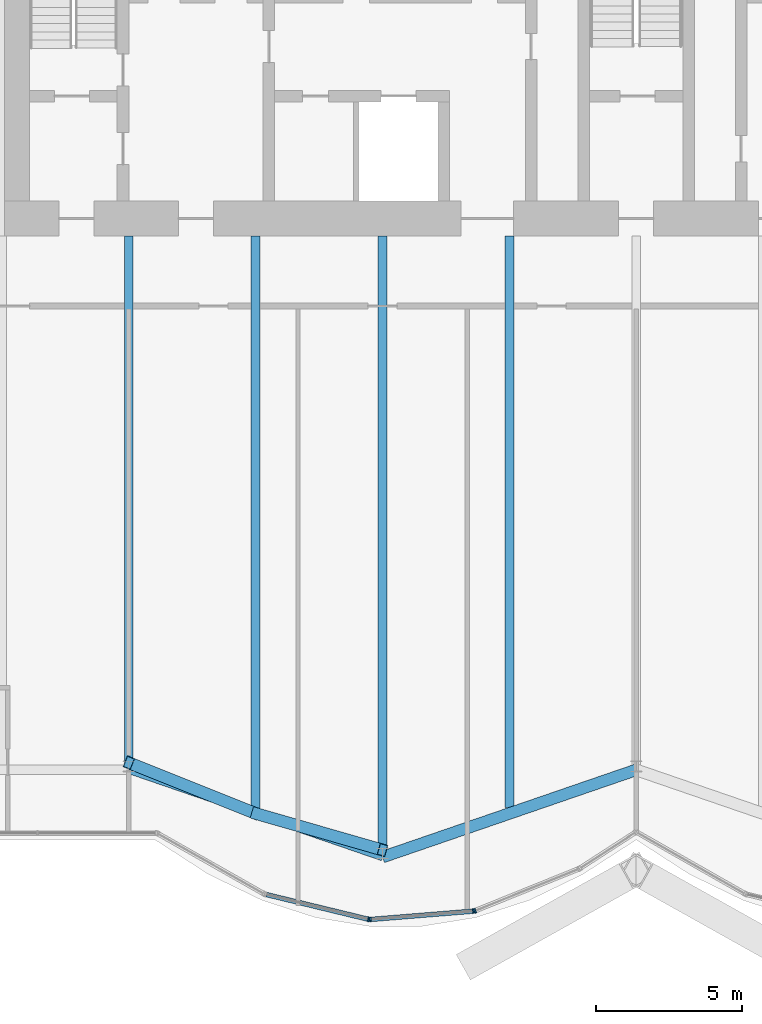
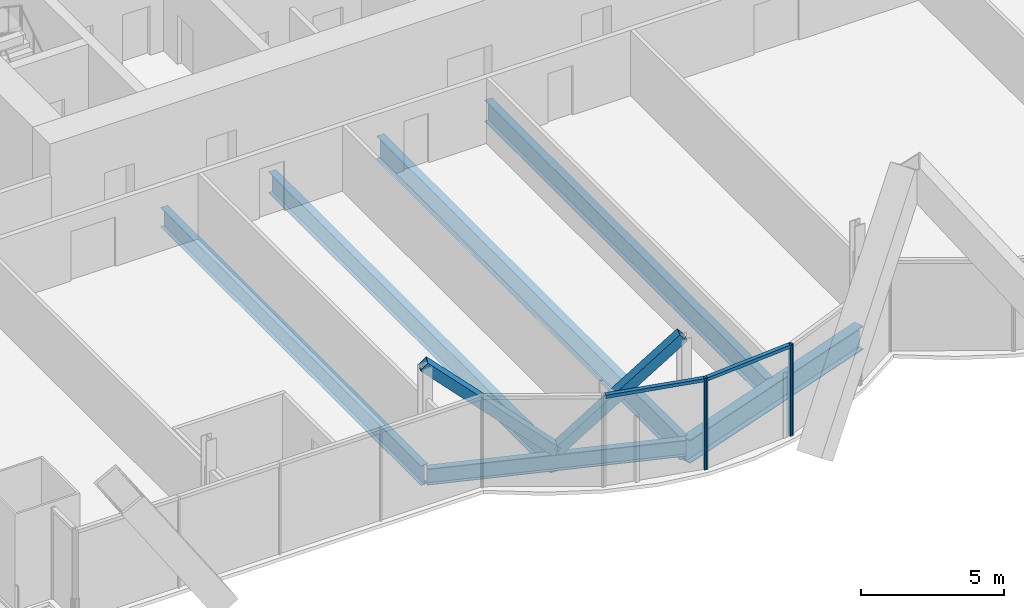
# One storey, part 6 of 21: 8 members, 6 beams, 1 element without a shape of its own.
"""IFC4 building model written with IfcOpenShell, lengths in metres."""

from ifc_helpers import new_model, si_unit, direction, frame, origin, origin_2d, place, context, subcontext, project, spatial, rectangle, hollow_rectangle, i_section, extrude, material, material_profile, profile_set, type_object, element, aggregate, save


model = new_model("IFC4")

# Units and contexts
model_context = context("Model", 3, precision=1e-05, world=origin(), true_north=direction((0.0, 1.0)))
body_context = subcontext(model_context, "Body", "Model", "MODEL_VIEW")
ifc_project = project(units=[si_unit("LENGTHUNIT", "METRE"), si_unit("AREAUNIT", "SQUARE_METRE"), si_unit("VOLUMEUNIT", "CUBIC_METRE"), si_unit("PLANEANGLEUNIT", "RADIAN"), si_unit("MASSUNIT", "GRAM", prefix="KILO")], contexts=[model_context])

# Site, building, storey
site_placement = place(None, origin())
site = spatial("IfcSite", under=ifc_project, at=site_placement, CompositionType="ELEMENT")
building_placement = place(site_placement, origin())
building = spatial("IfcBuilding", under=site, at=building_placement, Name="Bicima Exchange Tower", CompositionType="ELEMENT")
storey_placement = place(building_placement, frame((0.0, 0.0, 181.39990234375)))
storey = spatial("IfcBuildingStorey", under=building, at=storey_placement, Name="L40", CompositionType="ELEMENT", Elevation=181.39990234375)

# Beams
ifc_material_1 = material(Name="Steel ASTM A992 Gr 50", Category="steel")
ifc_material_profile_1 = material_profile(ifc_material_1, i_section(OverallWidth=0.2919921875, OverallDepth=0.835693359375, WebThickness=0.013916015625, FlangeThickness=0.018798828125, at=origin_2d()))
ifc_profile_set_1 = profile_set([ifc_material_profile_1], Name="Steel ASTM A992 Gr 50")
beam_type_1 = type_object("IfcBeamType", Name="Floor beam W33x118", PredefinedType="JOIST", material=ifc_profile_set_1)
beam_1_placement = place(storey_placement, frame((-17.39990234375, -13.0, -0.567626953125), z_axis=(0.0, -1.0, 0.0), x_axis=(1.0, 0.0, 0.0)))
element("IfcBeam", 1, at=beam_1_placement, inside=storey, type_object=beam_type_1, Name="Floor beam", PredefinedType="JOIST", context=body_context, shape_type="SweptSolid", body=[
    extrude(i_section(OverallWidth=0.2919921875, OverallDepth=0.835693359375, WebThickness=0.013916015625, FlangeThickness=0.018798828125, at=origin_2d()), origin(), (0.0, 0.0, 1.0), 18.141357421875),
])
ifc_material_profile_2 = material_profile(ifc_material_1, i_section(OverallWidth=0.3046875, OverallDepth=0.904296875, WebThickness=0.01513671875, FlangeThickness=0.02001953125, at=origin_2d()))
ifc_profile_set_2 = profile_set([ifc_material_profile_2], Name="Steel ASTM A992 Gr 50")
beam_type_2 = type_object("IfcBeamType", Name="Floor beam W36x135", PredefinedType="JOIST", material=ifc_profile_set_2)
beam_2_placement = place(storey_placement, frame((-13.050048828125, -13.0, -0.60205078125), z_axis=(0.0, -1.0, 0.0), x_axis=(1.0, 0.0, 0.0)))
element("IfcBeam", 2, at=beam_2_placement, inside=storey, type_object=beam_type_2, Name="Floor beam", PredefinedType="JOIST", context=body_context, shape_type="SweptSolid", body=[
    extrude(i_section(OverallWidth=0.3046875, OverallDepth=0.904296875, WebThickness=0.01513671875, FlangeThickness=0.02001953125, at=origin_2d()), origin(), (0.0, 0.0, 1.0), 19.663818359375),
])
beam_3_placement = place(storey_placement, frame((-4.35009765625, -13.0, -0.60205078125), z_axis=(0.0, -1.0, 0.0), x_axis=(1.0, 0.0, 0.0)))
element("IfcBeam", 3, at=beam_3_placement, inside=storey, type_object=beam_type_2, Name="Floor beam", PredefinedType="JOIST", context=body_context, shape_type="SweptSolid", body=[
    extrude(i_section(OverallWidth=0.3046875, OverallDepth=0.904296875, WebThickness=0.01513671875, FlangeThickness=0.02001953125, at=origin_2d()), origin(), (0.0, 0.0, 1.0), 19.58740234375),
])
ifc_material_profile_3 = material_profile(ifc_material_1, i_section(OverallWidth=0.2998046875, OverallDepth=0.97021484375, WebThickness=0.01611328125, FlangeThickness=0.02099609375, at=origin_2d()))
ifc_profile_set_3 = profile_set([ifc_material_profile_3], Name="Steel ASTM A992 Gr 50")
beam_type_3 = type_object("IfcBeamType", Name="Floor beam W40x149", PredefinedType="JOIST", material=ifc_profile_set_3)
beam_4_placement = place(storey_placement, frame((-8.699951171875, -13.0, -0.635009765625), z_axis=(0.0, -1.0, 0.0), x_axis=(1.0, 0.0, 0.0)))
element("IfcBeam", 4, at=beam_4_placement, inside=storey, type_object=beam_type_3, Name="Floor beam", PredefinedType="JOIST", context=body_context, shape_type="SweptSolid", body=[
    extrude(i_section(OverallWidth=0.2998046875, OverallDepth=0.97021484375, WebThickness=0.01611328125, FlangeThickness=0.02099609375, at=origin_2d()), origin(), (0.0, 0.0, 1.0), 21.159423828125),
])
ifc_material_profile_4 = material_profile(ifc_material_1, i_section(OverallWidth=0.256591796875, OverallDepth=0.693359375, WebThickness=0.014404296875, FlangeThickness=0.023681640625, at=origin_2d()))
ifc_profile_set_4 = profile_set([ifc_material_profile_4], Name="Steel ASTM A992 Gr 50")
beam_type_4 = type_object("IfcBeamType", Name="Front girder W27x114", PredefinedType="BEAM", material=ifc_profile_set_4)
beam_5_placement = place(storey_placement, frame((-17.39990234375, -31.303955078125, -0.49658203125), z_axis=(0.945666456746, -0.325138359143, 0.0), x_axis=(0.325138359143, 0.945666456746, 0.0)))
element("IfcBeam", 5, at=beam_5_placement, inside=storey, type_object=beam_type_4, Name="Front girder", PredefinedType="BEAM", context=body_context, shape_type="SweptSolid", body=[
    extrude(i_section(OverallWidth=0.256591796875, OverallDepth=0.693359375, WebThickness=0.014404296875, FlangeThickness=0.023681640625, at=origin_2d()), origin(), (0.0, 0.0, 1.0), 9.19970703125),
])
ifc_material_profile_5 = material_profile(ifc_material_1, i_section(OverallWidth=0.4013671875, OverallDepth=0.990478515625, WebThickness=0.0166015625, FlangeThickness=0.031005859375, at=origin_2d()))
ifc_profile_set_5 = profile_set([ifc_material_profile_5], Name="Steel ASTM A992 Gr 50")
beam_type_5 = type_object("IfcBeamType", Name="Front girder W40x215", PredefinedType="BEAM", material=ifc_profile_set_5)
beam_6_placement = place(storey_placement, frame((-8.699951171875, -34.295166015625, -0.645263671875), z_axis=(0.945666456746, 0.325138359143, 0.0), x_axis=(-0.325138359143, 0.945666456746, 0.0)))
element("IfcBeam", 6, at=beam_6_placement, inside=storey, type_object=beam_type_5, Name="Front girder", PredefinedType="BEAM", context=body_context, shape_type="SweptSolid", body=[
    extrude(i_section(OverallWidth=0.4013671875, OverallDepth=0.990478515625, WebThickness=0.0166015625, FlangeThickness=0.031005859375, at=origin_2d()), origin(), (0.0, 0.0, 1.0), 9.19970703125),
])

# Curtain wall, members
ifc_material_2 = material(Name="Anodised bronze aluminium", Category="aluminium")
curtain_wall_type = type_object("IfcCurtainWallType", Name="Front glass wall", PredefinedType="NOTDEFINED", material=ifc_material_2)
curtain_wall_placement = place(storey_placement, origin())
curtain_wall = element("IfcCurtainWall", 7, at=curtain_wall_placement, inside=storey, type_object=curtain_wall_type, Name="Front glass wall L40 run 6", PredefinedType="NOTDEFINED")
ifc_material_profile_6 = material_profile(ifc_material_2, rectangle(XDim=0.159912109375, YDim=0.06005859375, at=origin_2d()))
ifc_profile_set_6 = profile_set([ifc_material_profile_6], Name="Anodised bronze aluminium")
member_type_1 = type_object("IfcMemberType", Name="Front glass wall mullion 60 x 160", PredefinedType="MULLION", material=ifc_profile_set_6)
member_1_placement = place(storey_placement, frame((-9.177490234375, -36.429931640625, 0.0), z_axis=(0.0, 0.0, 1.0), x_axis=(0.235681529503, 0.971830343553, 0.0)))
member_1 = element("IfcMember", 8, at=member_1_placement, type_object=member_type_1, Name="Front glass wall mullion 2", PredefinedType="MULLION", context=body_context, shape_type="SweptSolid", body=[
    extrude(rectangle(XDim=0.159912109375, YDim=0.06005859375, at=origin_2d()), origin(), (0.0, 0.0, 1.0), 3.900146484375),
])
member_2_placement = place(storey_placement, frame((-9.118408203125, -36.4345703125, 0.0), z_axis=(0.0, 0.0, 1.0), x_axis=(-0.080588612633, 0.99674744821, 0.0)))
member_2 = element("IfcMember", 9, at=member_2_placement, type_object=member_type_1, Name="Front glass wall mullion 1", PredefinedType="MULLION", context=body_context, shape_type="SweptSolid", body=[
    extrude(rectangle(XDim=0.159912109375, YDim=0.06005859375, at=origin_2d()), origin(), (0.0, 0.0, 1.0), 3.900146484375),
])
member_3_placement = place(storey_placement, frame((-5.583984375, -36.148681640625, 0.0), z_axis=(0.0, 0.0, 1.0), x_axis=(-0.080588612633, 0.99674744821, 0.0)))
member_3 = element("IfcMember", 10, at=member_3_placement, type_object=member_type_1, Name="Front glass wall mullion 2", PredefinedType="MULLION", context=body_context, shape_type="SweptSolid", body=[
    extrude(rectangle(XDim=0.159912109375, YDim=0.06005859375, at=origin_2d()), origin(), (0.0, 0.0, 1.0), 3.900146484375),
])
member_4_placement = place(storey_placement, frame((-5.526123046875, -36.13525390625, 0.0), z_axis=(0.0, 0.0, 1.0), x_axis=(-0.374705304, 0.92714396679, 0.0)))
member_4 = element("IfcMember", 11, at=member_4_placement, type_object=member_type_1, Name="Front glass wall mullion 1", PredefinedType="MULLION", context=body_context, shape_type="SweptSolid", body=[
    extrude(rectangle(XDim=0.159912109375, YDim=0.06005859375, at=origin_2d()), origin(), (0.0, 0.0, 1.0), 3.900146484375),
])
ifc_material_profile_7 = material_profile(ifc_material_2, rectangle(XDim=0.159912109375, YDim=0.139892578125, at=origin_2d()))
ifc_profile_set_7 = profile_set([ifc_material_profile_7], Name="Anodised bronze aluminium")
member_type_2 = type_object("IfcMemberType", Name="Front glass wall transom 140 x 160", PredefinedType="USERDEFINED", material=ifc_profile_set_7)
member_5_placement = place(storey_placement, frame((-12.68896484375, -35.578369140625, 3.830078125), z_axis=(0.971833557815, -0.235668275132, 0.0), x_axis=(0.235668275132, 0.971833557815, 0.0)))
member_5 = element("IfcMember", 12, at=member_5_placement, type_object=member_type_2, Name="Front glass wall transom 1.1", ObjectType="TRANSOM", PredefinedType="USERDEFINED", context=body_context, shape_type="SweptSolid", body=[
    extrude(rectangle(XDim=0.159912109375, YDim=0.139892578125, at=origin_2d()), origin(), (0.0, 0.0, 1.0), 3.583251953125),
])
member_6_placement = place(storey_placement, frame((-9.08837890625, -36.43212890625, 3.830078125), z_axis=(0.9967456465, 0.080610893699, 0.0), x_axis=(-0.080610893699, 0.9967456465, 0.0)))
member_6 = element("IfcMember", 13, at=member_6_placement, type_object=member_type_2, Name="Front glass wall transom 1.1", ObjectType="TRANSOM", PredefinedType="USERDEFINED", context=body_context, shape_type="SweptSolid", body=[
    extrude(rectangle(XDim=0.159912109375, YDim=0.139892578125, at=origin_2d()), origin(), (0.0, 0.0, 1.0), 3.48583984375),
])
aggregate(curtain_wall, [member_1, member_5, member_2, member_3, member_6, member_4])

# Members
ifc_material_3 = material(Name="Steel ASTM A572 Gr 50", Category="steel")
ifc_material_profile_8 = material_profile(ifc_material_3, hollow_rectangle(XDim=0.406494140625, YDim=0.406494140625, WallThickness=0.017822265625, at=origin_2d()))
ifc_profile_set_8 = profile_set([ifc_material_profile_8], Name="Steel ASTM A572 Gr 50")
member_type_3 = type_object("IfcMemberType", Name="Mega brace HSS16x16x3/4", PredefinedType="BRACE", material=ifc_profile_set_8)
member_7_placement = place(storey_placement, frame((-13.050048828125, -32.799560546875, 0.0), z_axis=(0.712266893938, -0.204909647453, 0.671332933931), x_axis=(0.276473064615, 0.961021667052, 0.0)))
element("IfcMember", 14, at=member_7_placement, inside=storey, type_object=member_type_3, Name="Mega brace front", PredefinedType="BRACE", context=body_context, shape_type="SweptSolid", body=[
    extrude(hollow_rectangle(XDim=0.406494140625, YDim=0.406494140625, WallThickness=0.017822265625, at=origin_2d()), origin(), (0.0, 0.0, 1.0), 6.107421875),
])
member_8_placement = place(storey_placement, frame((-13.050048828125, -32.799560546875, 0.0), z_axis=(-0.69870612412, 0.279411861388, 0.658588463179), x_axis=(-0.371309808925, -0.928509033772, 0.0)))
element("IfcMember", 15, at=member_8_placement, inside=storey, type_object=member_type_3, Name="Mega brace front", PredefinedType="BRACE", context=body_context, shape_type="SweptSolid", body=[
    extrude(hollow_rectangle(XDim=0.406494140625, YDim=0.406494140625, WallThickness=0.017822265625, at=origin_2d()), origin(), (0.0, 0.0, 1.0), 6.2255859375),
])

save(model, "model.ifc")
